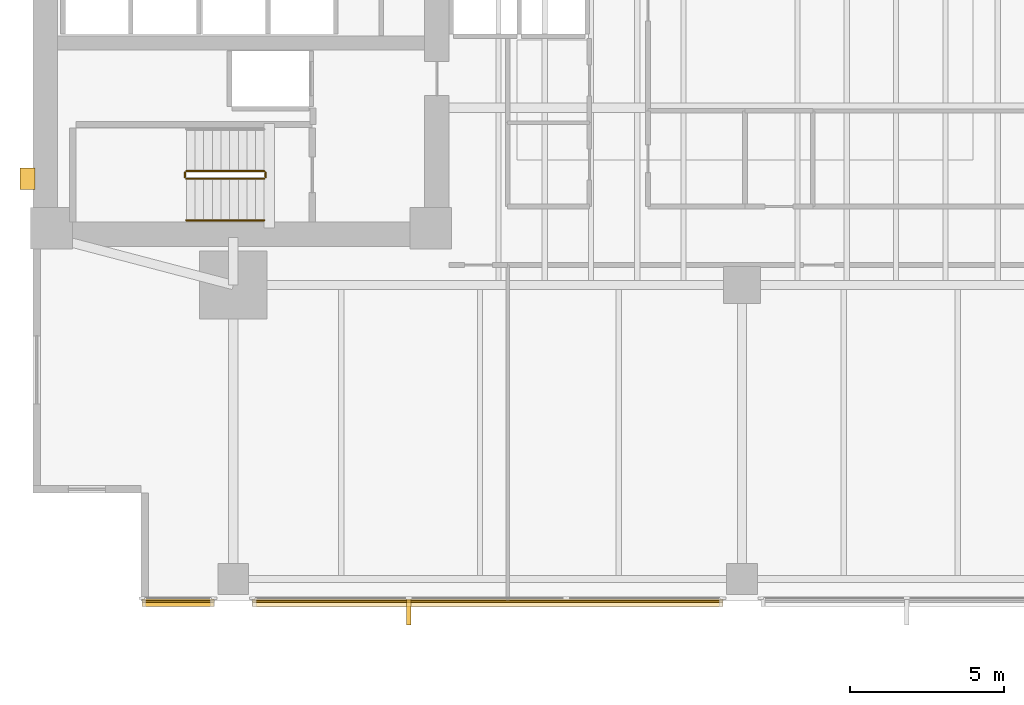
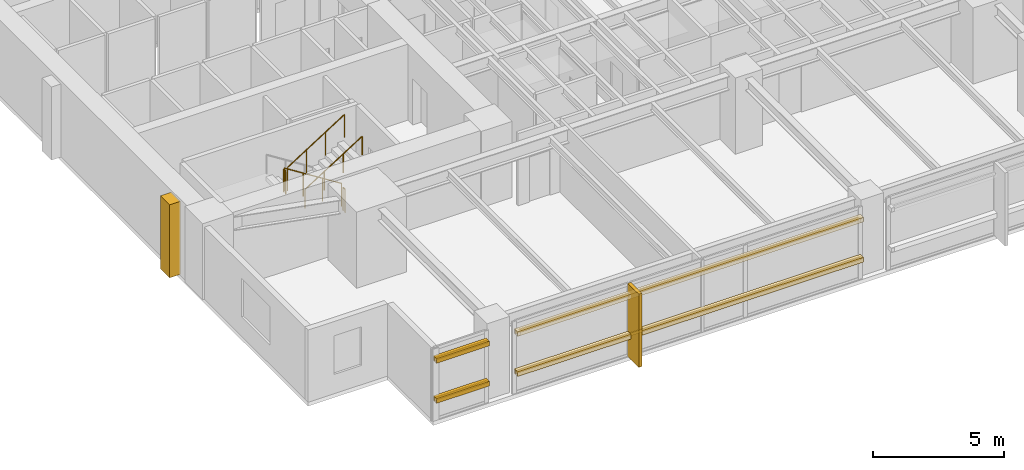
# One storey, part 12 of 15: 6 coverings, 5 railings, 4 shading devices.
"""IFC4 building model written with IfcOpenShell, lengths in metres."""

from ifc_helpers import new_model, si_unit, direction, frame, origin, origin_2d, place, context, subcontext, project, spatial, polyline, rectangle, circle, outline, extrude, material, layer, layer_set, material_profile, profile_set, type_object, element, save


model = new_model("IFC4")

# Units and contexts
model_context = context("Model", 3, precision=1e-05, world=origin(), true_north=direction((0.0, 1.0)))
body_context = subcontext(model_context, "Body", "Model", "MODEL_VIEW")
ifc_project = project(units=[si_unit("LENGTHUNIT", "METRE"), si_unit("AREAUNIT", "SQUARE_METRE"), si_unit("VOLUMEUNIT", "CUBIC_METRE"), si_unit("PLANEANGLEUNIT", "RADIAN"), si_unit("MASSUNIT", "GRAM", prefix="KILO")], contexts=[model_context])

# Site, building, storey
site_placement = place(None, origin())
site = spatial("IfcSite", under=ifc_project, at=site_placement, CompositionType="ELEMENT")
building_placement = place(site_placement, origin())
building = spatial("IfcBuilding", under=site, at=building_placement, Name="Kinhvarn Gate Tower", CompositionType="ELEMENT")
storey_placement = place(building_placement, frame((0.0, 0.0, 46.89990234375)))
storey = spatial("IfcBuildingStorey", under=building, at=storey_placement, Name="L11", CompositionType="ELEMENT", Elevation=46.89990234375)

# Coverings
ifc_material_1 = material(Name="Fired architectural terracotta", Category="masonry")
ifc_layer_1 = layer(ifc_material_1, 0.239990234375)
ifc_layer_set_1 = layer_set([ifc_layer_1], Name="Fired architectural terracotta")
covering_type_1 = type_object("IfcCoveringType", Name="COV-BAG-220", PredefinedType="CLADDING", material=ifc_layer_set_1)
for number, where, name in (
    (1, (0.0, 0.0, 0.940185546875), "Terracotta Horizontal Sunscreen Band TBG-220 (L11)"),
    (2, (0.0, 0.0, 2.81005859375), "Terracotta Horizontal Sunscreen Band TBG-220 (L11)"),
):
    element("IfcCovering", number, at=place(storey_placement, frame(where)), inside=storey, type_object=covering_type_1, Name=name, PredefinedType="CLADDING", context=body_context, shape_type="SweptSolid", body=[
        extrude(outline(polyline([(8.0400390625, 2.56005859375), (10.3798828125, 2.56005859375), (10.3798828125, 2.320068359375), (8.0400390625, 2.320068359375), (8.0400390625, 2.56005859375)])), origin(), (0.0, 0.0, 1.0), 0.219970703125),
    ])
for number, where, name in (
    (3, (0.0, 0.0, 0.940185546875), "Terracotta Horizontal Sunscreen Band TBG-220 (L11)"),
    (4, (0.0, 0.0, 2.81005859375), "Terracotta Horizontal Sunscreen Band TBG-220 (L11)"),
):
    element("IfcCovering", number, at=place(storey_placement, frame(where)), inside=storey, type_object=covering_type_1, Name=name, PredefinedType="CLADDING", context=body_context, shape_type="SweptSolid", body=[
        extrude(outline(polyline([(11.6201171875, 2.56005859375), (26.8798828125, 2.56005859375), (26.8798828125, 2.320068359375), (11.6201171875, 2.320068359375), (11.6201171875, 2.56005859375)])), origin(), (0.0, 0.0, 1.0), 0.219970703125),
    ])
ifc_layer_2 = layer(ifc_material_1, 0.139892578125)
ifc_layer_set_2 = layer_set([ifc_layer_2], Name="Fired architectural terracotta")
covering_type_2 = type_object("IfcCoveringType", Name="COV-FIN-850", PredefinedType="CLADDING", material=ifc_layer_set_2)
covering_1_placement = place(storey_placement, frame((0.0, 0.0, -0.02001953125)))
element("IfcCovering", 5, at=covering_1_placement, inside=storey, type_object=covering_type_2, Name="Vertical Terracotta Expressive Fin TFN-850 (L11)", PredefinedType="CLADDING", context=body_context, shape_type="SweptSolid", body=[
    extrude(outline(polyline([(16.623291015625, 2.570068359375), (16.76318359375, 2.570068359375), (16.76318359375, 1.719970703125), (16.623291015625, 1.719970703125), (16.623291015625, 2.570068359375)])), origin(), (0.0, 0.0, 1.0), 3.41015625),
])
ifc_material_2 = material(Name="Precast white architectural concrete C40/50", Category="concrete")
ifc_layer_3 = layer(ifc_material_2, 0.47998046875)
ifc_layer_set_3 = layer_set([ifc_layer_3], Name="Precast white architectural concrete C40/50")
covering_type_3 = type_object("IfcCoveringType", Name="COV-RIB-450", PredefinedType="CLADDING", material=ifc_layer_set_3)
covering_2_placement = place(storey_placement, frame((0.0, 0.0, -0.02001953125)))
element("IfcCovering", 6, at=covering_2_placement, inside=storey, type_object=covering_type_3, Name="West Core Sculptural Concrete Relief Rib CRB-450 (L11)", PredefinedType="CLADDING", context=body_context, shape_type="SweptSolid", body=[
    extrude(outline(polyline([(4.080078125, 15.85009765625), (4.56005859375, 15.85009765625), (4.56005859375, 16.550048828125), (4.080078125, 16.550048828125), (4.080078125, 15.85009765625)])), origin(), (0.0, 0.0, 1.0), 3.41015625),
])

# Railings
ifc_material_3 = material(Name="Steel S355", Category="steel")
railing_type_1 = type_object("IfcRailingType", Name="RL-ST-GRD", PredefinedType="BALUSTRADE", material=ifc_material_3)
railing_1_placement = place(storey_placement, frame((12.0, 16.449951171875, 0.177490234375)))
element("IfcRailing", 7, at=railing_1_placement, inside=storey, type_object=railing_type_1, Name="L11 ST1 stair guard 1", PredefinedType="BALUSTRADE", context=body_context, shape_type="SweptSolid", body=[
    extrude(circle(Radius=0.02392578125, at=origin_2d()), frame((0.0, 0.0, 1.076171875), z_axis=(-0.84456994832, 0.0, 0.535445237532), x_axis=(0.0, -1.0, 0.0)), (0.0, 0.0, 1.0), 2.98388671875),
    extrude(circle(Radius=0.02099609375, at=origin_2d()), origin(), (0.0, 0.0, 1.0), 1.052001953125),
    extrude(circle(Radius=0.02099609375, at=origin_2d()), frame((-0.840087890625, 0.0, 0.532470703125)), (0.0, 0.0, 1.0), 1.052001953125),
    extrude(circle(Radius=0.02099609375, at=origin_2d()), frame((-1.679931640625, 0.0, 1.065185546875)), (0.0, 0.0, 1.0), 1.052001953125),
    extrude(circle(Radius=0.02099609375, at=origin_2d()), frame((-2.52001953125, 0.0, 1.59765625)), (0.0, 0.0, 1.0), 1.052001953125),
])
railing_2_placement = place(storey_placement, frame((9.429931640625, 16.39990234375, 1.775146484375)))
element("IfcRailing", 8, at=railing_2_placement, inside=storey, type_object=railing_type_1, Name="L11 ST1 stair guard 2", PredefinedType="BALUSTRADE", context=body_context, shape_type="SweptSolid", body=[
    extrude(circle(Radius=0.02392578125, at=origin_2d()), frame((0.0, 0.0, 1.076171875), z_axis=(0.0, -1.0, 0.0), x_axis=(1.0, 0.0, 0.0)), (0.0, 0.0, 1.0), 0.14990234375),
    extrude(circle(Radius=0.02099609375, at=origin_2d()), origin(), (0.0, 0.0, 1.0), 1.052001953125),
    extrude(circle(Radius=0.02099609375, at=origin_2d()), frame((0.0, -0.14990234375, 0.0)), (0.0, 0.0, 1.0), 1.052001953125),
])
railing_3_placement = place(storey_placement, frame((9.47998046875, 16.199951171875, 1.95263671875)))
element("IfcRailing", 9, at=railing_3_placement, inside=storey, type_object=railing_type_1, Name="L11 ST1 stair guard 3", PredefinedType="BALUSTRADE", context=body_context, shape_type="SweptSolid", body=[
    extrude(circle(Radius=0.02392578125, at=origin_2d()), frame((0.0, 0.0, 1.076171875), z_axis=(0.84460694969, 0.0, 0.535386869969), x_axis=(0.0, 1.0, 0.0)), (0.0, 0.0, 1.0), 2.983642578125),
    extrude(circle(Radius=0.02099609375, at=origin_2d()), origin(), (0.0, 0.0, 1.0), 1.052001953125),
    extrude(circle(Radius=0.02099609375, at=origin_2d()), frame((0.840087890625, 0.0, 0.532470703125)), (0.0, 0.0, 1.0), 1.052001953125),
    extrude(circle(Radius=0.02099609375, at=origin_2d()), frame((1.679931640625, 0.0, 1.06494140625)), (0.0, 0.0, 1.0), 1.052001953125),
    extrude(circle(Radius=0.02099609375, at=origin_2d()), frame((2.52001953125, 0.0, 1.597412109375)), (0.0, 0.0, 1.0), 1.052001953125),
])
railing_4_placement = place(storey_placement, frame((12.050048828125, 16.39990234375, 0.0)))
element("IfcRailing", 10, at=railing_4_placement, inside=storey, type_object=railing_type_1, Name="L11 ST1 stair guard 4", PredefinedType="BALUSTRADE", context=body_context, shape_type="SweptSolid", body=[
    extrude(circle(Radius=0.02392578125, at=origin_2d()), frame((0.0, 0.0, 1.076171875), z_axis=(0.0, -1.0, 0.0), x_axis=(1.0, 0.0, 0.0)), (0.0, 0.0, 1.0), 0.14990234375),
    extrude(circle(Radius=0.02099609375, at=origin_2d()), origin(), (0.0, 0.0, 1.0), 1.052001953125),
    extrude(circle(Radius=0.02099609375, at=origin_2d()), frame((0.0, -0.14990234375, 0.0)), (0.0, 0.0, 1.0), 1.052001953125),
])
railing_type_2 = type_object("IfcRailingType", Name="RL-ST-HND", PredefinedType="HANDRAIL", material=ifc_material_3)
railing_5_placement = place(storey_placement, frame((9.47998046875, 14.85009765625, 1.95263671875)))
element("IfcRailing", 11, at=railing_5_placement, inside=storey, type_object=railing_type_2, Name="L11 ST1 stair handrail 2", PredefinedType="HANDRAIL", context=body_context, shape_type="SweptSolid", body=[
    extrude(circle(Radius=0.02392578125, at=origin_2d()), frame((0.0, 0.0, 0.8759765625), z_axis=(0.84460694969, 0.0, 0.535386869969), x_axis=(0.0, 1.0, 0.0)), (0.0, 0.0, 1.0), 2.983642578125),
    extrude(circle(Radius=0.02099609375, at=origin_2d()), origin(), (0.0, 0.0, 1.0), 0.851806640625),
    extrude(circle(Radius=0.02099609375, at=origin_2d()), frame((0.840087890625, 0.0, 0.532470703125)), (0.0, 0.0, 1.0), 0.851806640625),
    extrude(circle(Radius=0.02099609375, at=origin_2d()), frame((1.679931640625, 0.0, 1.06494140625)), (0.0, 0.0, 1.0), 0.851806640625),
    extrude(circle(Radius=0.02099609375, at=origin_2d()), frame((2.52001953125, 0.0, 1.597412109375)), (0.0, 0.0, 1.0), 0.851806640625),
])

# Shading devices
ifc_material_profile = material_profile(ifc_material_1, rectangle(XDim=0.06005859375, YDim=0.139892578125, at=origin_2d()), Name="TC 60x140")
ifc_profile_set = profile_set([ifc_material_profile], Name="Fired architectural terracotta")
shading_device_type = type_object("IfcShadingDeviceType", Name="SHD-BAG-180", PredefinedType="USERDEFINED", material=ifc_profile_set)
for number, where, z_axis, x_axis, name in (
    (12, (8.0400390625, 2.485107421875, 1.050048828125), (1.0, 0.0, 0.0), (0.0, 1.0, 0.0), "Fired Terracotta Baguette Screen Rod 60x140 mm (L11)"),
    (13, (8.0400390625, 2.485107421875, 2.920166015625), (1.0, 0.0, 0.0), (0.0, 1.0, 0.0), "Fired Terracotta Baguette Screen Rod 60x140 mm (L11)"),
):
    element("IfcShadingDevice", number, at=place(storey_placement, frame(where, z_axis=z_axis, x_axis=x_axis)), inside=storey, type_object=shading_device_type, Name=name, ObjectType="BAGUETTE", PredefinedType="USERDEFINED", context=body_context, shape_type="SweptSolid", body=[
        extrude(rectangle(XDim=0.06005859375, YDim=0.139892578125, at=origin_2d()), origin(), (0.0, 0.0, 1.0), 2.33984375),
    ])
for number, where, z_axis, x_axis, name in (
    (14, (11.6201171875, 2.485107421875, 1.050048828125), (1.0, 0.0, 0.0), (0.0, 1.0, 0.0), "Fired Terracotta Baguette Screen Rod 60x140 mm (L11)"),
    (15, (11.6201171875, 2.485107421875, 2.920166015625), (1.0, 0.0, 0.0), (0.0, 1.0, 0.0), "Fired Terracotta Baguette Screen Rod 60x140 mm (L11)"),
):
    element("IfcShadingDevice", number, at=place(storey_placement, frame(where, z_axis=z_axis, x_axis=x_axis)), inside=storey, type_object=shading_device_type, Name=name, ObjectType="BAGUETTE", PredefinedType="USERDEFINED", context=body_context, shape_type="SweptSolid", body=[
        extrude(rectangle(XDim=0.06005859375, YDim=0.139892578125, at=origin_2d()), origin(), (0.0, 0.0, 1.0), 15.259765625),
    ])

save(model, "model.ifc")
